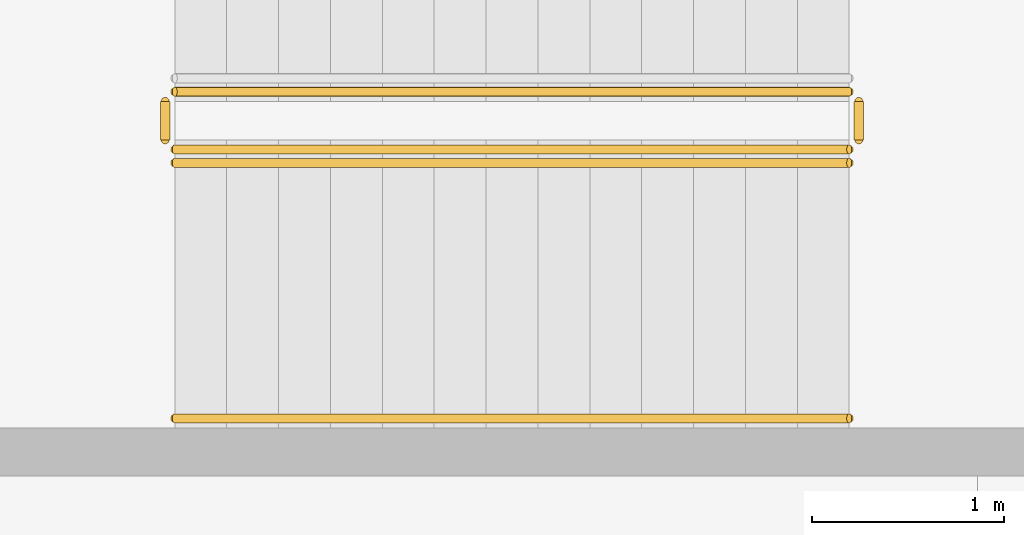
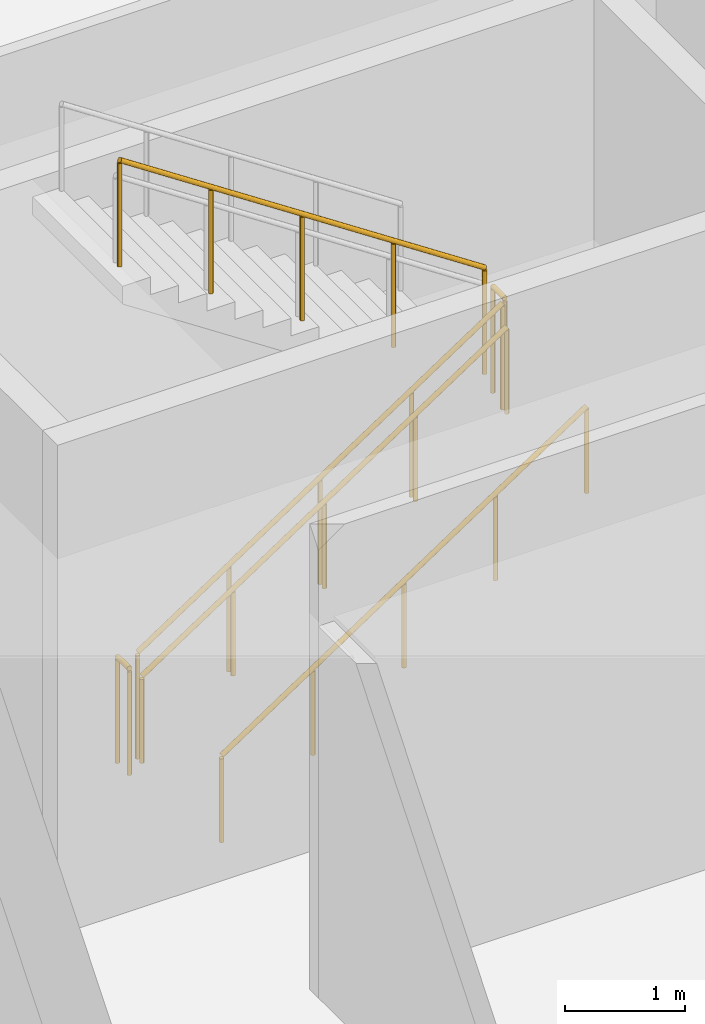
# One storey, part 29 of 33: 6 railings.
"""IFC4 building model written with IfcOpenShell, lengths in metres."""

from ifc_helpers import new_model, si_unit, direction, frame, origin, origin_2d, place, context, subcontext, project, spatial, circle, extrude, material, type_object, element, save


model = new_model("IFC4")

# Units and contexts
model_context = context("Model", 3, precision=1e-05, world=origin(), true_north=direction((0.0, 1.0)))
body_context = subcontext(model_context, "Body", "Model", "MODEL_VIEW")
ifc_project = project(units=[si_unit("LENGTHUNIT", "METRE"), si_unit("AREAUNIT", "SQUARE_METRE"), si_unit("VOLUMEUNIT", "CUBIC_METRE"), si_unit("PLANEANGLEUNIT", "RADIAN"), si_unit("MASSUNIT", "GRAM", prefix="KILO")], contexts=[model_context])

# Site, building, storey
site_placement = place(None, origin())
site = spatial("IfcSite", under=ifc_project, at=site_placement, CompositionType="ELEMENT")
building_placement = place(site_placement, origin())
building = spatial("IfcBuilding", under=site, at=building_placement, Name="Larchfold Concert Hall", CompositionType="ELEMENT")
storey_placement = place(building_placement, frame((0.0, 0.0, -5.0)))
storey = spatial("IfcBuildingStorey", under=building, at=storey_placement, Name="B1", CompositionType="ELEMENT", Elevation=-5.0)

# Railings
ifc_material_1 = material(Name="Stainless steel balustrade", Category="steel")
railing_type_1 = type_object("IfcRailingType", Name="Stair guard 1100", PredefinedType="GUARDRAIL", material=ifc_material_1)
railing_1_placement = place(storey_placement, frame((60.050048828125, 80.25, 0.178466796875)))
element("IfcRailing", 1, at=railing_1_placement, inside=storey, type_object=railing_type_1, Name="Guard GR0013", PredefinedType="GUARDRAIL", context=body_context, shape_type="SweptSolid", body=[
    extrude(circle(Radius=0.02392578125, at=origin_2d()), frame((0.0, 0.0, 1.076171875), z_axis=(0.834070780157, 0.0, 0.551657442339), x_axis=(0.0, 1.0, 0.0)), (0.0, 0.0, 1.0), 4.208251953125),
    extrude(circle(Radius=0.02099609375, at=origin_2d()), origin(), (0.0, 0.0, 1.0), 1.052001953125),
    extrude(circle(Radius=0.02099609375, at=origin_2d()), frame((0.87744140625, 0.0, 0.580322265625)), (0.0, 0.0, 1.0), 1.052001953125),
    extrude(circle(Radius=0.02099609375, at=origin_2d()), frame((1.7548828125, 0.0, 1.16064453125)), (0.0, 0.0, 1.0), 1.052001953125),
    extrude(circle(Radius=0.02099609375, at=origin_2d()), frame((2.632568359375, 0.0, 1.7412109375)), (0.0, 0.0, 1.0), 1.052001953125),
    extrude(circle(Radius=0.02099609375, at=origin_2d()), frame((3.510009765625, 0.0, 2.321533203125)), (0.0, 0.0, 1.0), 1.052001953125),
])
railing_2_placement = place(storey_placement, frame((63.610107421875, 80.300048828125, 2.5)))
element("IfcRailing", 2, at=railing_2_placement, inside=storey, type_object=railing_type_1, Name="Guard GR0014", PredefinedType="GUARDRAIL", context=body_context, shape_type="SweptSolid", body=[
    extrude(circle(Radius=0.02392578125, at=origin_2d()), frame((0.0, 0.0, 1.076171875), z_axis=(0.0, 1.0, 0.0), x_axis=(-1.0, 0.0, 0.0)), (0.0, 0.0, 1.0), 0.199951171875),
    extrude(circle(Radius=0.02099609375, at=origin_2d()), origin(), (0.0, 0.0, 1.0), 1.052001953125),
    extrude(circle(Radius=0.02099609375, at=origin_2d()), frame((0.0, 0.199951171875, 0.0)), (0.0, 0.0, 1.0), 1.052001953125),
])
railing_3_placement = place(storey_placement, frame((63.56005859375, 80.550048828125, 2.678466796875)))
element("IfcRailing", 3, at=railing_3_placement, inside=storey, type_object=railing_type_1, Name="Guard GR0015", PredefinedType="GUARDRAIL", context=body_context, shape_type="SweptSolid", body=[
    extrude(circle(Radius=0.02392578125, at=origin_2d()), frame((0.0, 0.0, 1.076171875), z_axis=(-0.834070780157, 0.0, 0.551657442339), x_axis=(0.0, -1.0, 0.0)), (0.0, 0.0, 1.0), 4.208251953125),
    extrude(circle(Radius=0.02099609375, at=origin_2d()), origin(), (0.0, 0.0, 1.0), 1.052001953125),
    extrude(circle(Radius=0.02099609375, at=origin_2d()), frame((-0.87744140625, 0.0, 0.580322265625)), (0.0, 0.0, 1.0), 1.052001953125),
    extrude(circle(Radius=0.02099609375, at=origin_2d()), frame((-1.7548828125, 0.0, 1.16064453125)), (0.0, 0.0, 1.0), 1.052001953125),
    extrude(circle(Radius=0.02099609375, at=origin_2d()), frame((-2.632568359375, 0.0, 1.7412109375)), (0.0, 0.0, 1.0), 1.052001953125),
    extrude(circle(Radius=0.02099609375, at=origin_2d()), frame((-3.510009765625, 0.0, 2.321533203125)), (0.0, 0.0, 1.0), 1.052001953125),
])
railing_4_placement = place(storey_placement, frame((60.0, 80.300048828125, 0.0)))
element("IfcRailing", 4, at=railing_4_placement, inside=storey, type_object=railing_type_1, Name="Guard GR0016", PredefinedType="GUARDRAIL", context=body_context, shape_type="SweptSolid", body=[
    extrude(circle(Radius=0.02392578125, at=origin_2d()), frame((0.0, 0.0, 1.076171875), z_axis=(0.0, 1.0, 0.0), x_axis=(-1.0, 0.0, 0.0)), (0.0, 0.0, 1.0), 0.199951171875),
    extrude(circle(Radius=0.02099609375, at=origin_2d()), origin(), (0.0, 0.0, 1.0), 1.052001953125),
    extrude(circle(Radius=0.02099609375, at=origin_2d()), frame((0.0, 0.199951171875, 0.0)), (0.0, 0.0, 1.0), 1.052001953125),
])
ifc_material_2 = material(Name="Stainless steel handrail", Category="steel")
railing_type_2 = type_object("IfcRailingType", Name="Stair handrail 900", PredefinedType="HANDRAIL", material=ifc_material_2)
for number, where, name in (
    (5, (60.050048828125, 78.85009765625, 0.178466796875), "Handrail HR0013"),
    (6, (60.050048828125, 80.179931640625, 0.178466796875), "Handrail HR0015"),
):
    element("IfcRailing", number, at=place(storey_placement, frame(where)), inside=storey, type_object=railing_type_2, Name=name, PredefinedType="HANDRAIL", context=body_context, shape_type="SweptSolid", body=[
        extrude(circle(Radius=0.02392578125, at=origin_2d()), frame((0.0, 0.0, 0.8759765625), z_axis=(0.834070780157, 0.0, 0.551657442339), x_axis=(0.0, 1.0, 0.0)), (0.0, 0.0, 1.0), 4.208251953125),
        extrude(circle(Radius=0.02099609375, at=origin_2d()), origin(), (0.0, 0.0, 1.0), 0.851806640625),
        extrude(circle(Radius=0.02099609375, at=origin_2d()), frame((0.87744140625, 0.0, 0.580322265625)), (0.0, 0.0, 1.0), 0.851806640625),
        extrude(circle(Radius=0.02099609375, at=origin_2d()), frame((1.7548828125, 0.0, 1.16064453125)), (0.0, 0.0, 1.0), 0.851806640625),
        extrude(circle(Radius=0.02099609375, at=origin_2d()), frame((2.632568359375, 0.0, 1.7412109375)), (0.0, 0.0, 1.0), 0.851806640625),
        extrude(circle(Radius=0.02099609375, at=origin_2d()), frame((3.510009765625, 0.0, 2.321533203125)), (0.0, 0.0, 1.0), 0.851806640625),
    ])

save(model, "model.ifc")
